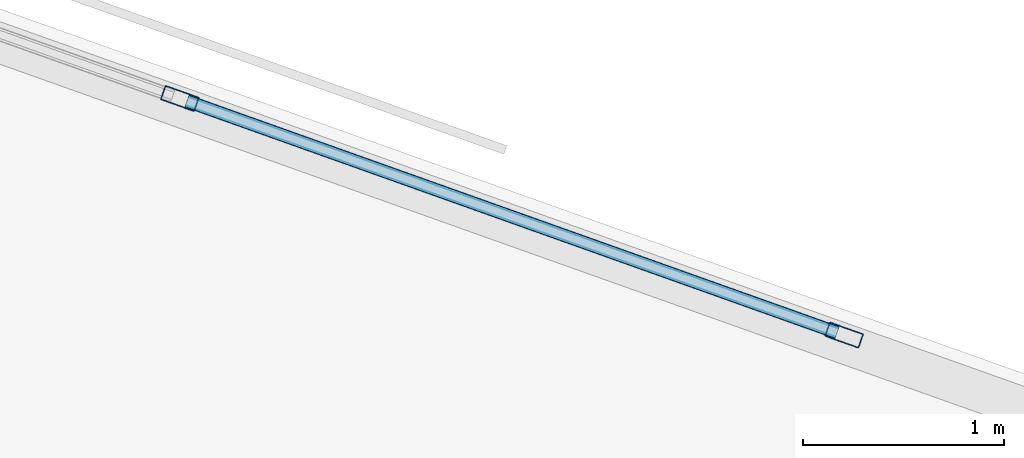
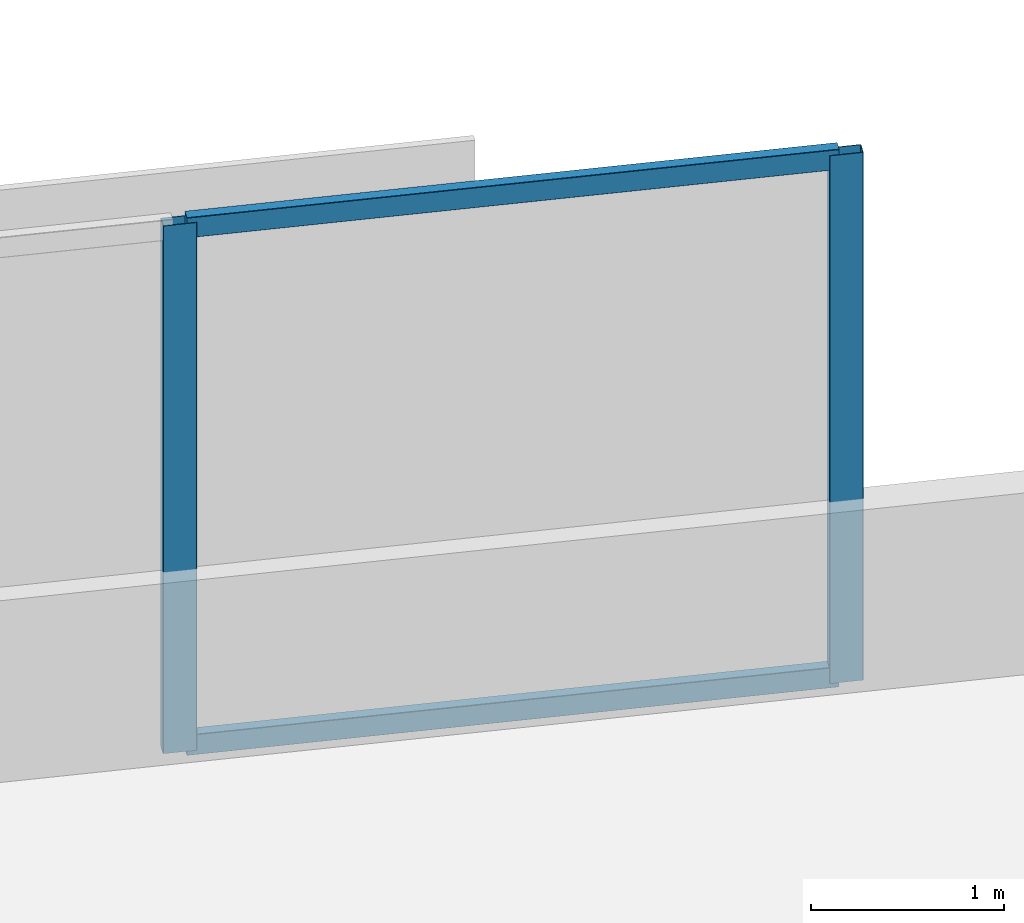
# One storey, part 2 of 16: 4 members, 1 element without a shape of its own.
"""IFC4 building model written with IfcOpenShell, lengths in metres."""

from ifc_helpers import new_model, si_unit, direction, frame, origin, origin_2d, place, context, subcontext, project, spatial, hollow_rectangle, extrude, material, material_profile, profile_set, type_object, element, aggregate, save


model = new_model("IFC4")

# Units and contexts
model_context = context("Model", 3, precision=1e-05, world=origin(), true_north=direction((0.0, 1.0)))
body_context = subcontext(model_context, "Body", "Model", "MODEL_VIEW")
ifc_project = project(units=[si_unit("LENGTHUNIT", "METRE"), si_unit("AREAUNIT", "SQUARE_METRE"), si_unit("VOLUMEUNIT", "CUBIC_METRE"), si_unit("PLANEANGLEUNIT", "RADIAN"), si_unit("MASSUNIT", "GRAM", prefix="KILO")], contexts=[model_context])

# Site, building, storey
site_placement = place(None, origin())
site = spatial("IfcSite", under=ifc_project, at=site_placement, CompositionType="ELEMENT")
building_placement = place(site_placement, origin())
building = spatial("IfcBuilding", under=site, at=building_placement, Name="Narakoshi Arena Tower", CompositionType="ELEMENT")
storey_placement = place(building_placement, frame((0.0, 0.0, 146.699951171875)))
storey = spatial("IfcBuildingStorey", under=building, at=storey_placement, Name="L39", CompositionType="ELEMENT", Elevation=146.699951171875)

# Curtain wall, members
ifc_material = material(Name="Anodised bronze aluminium 6063-T6", Category="aluminium")
curtain_wall_type = type_object("IfcCurtainWallType", Name="CW-HYP-MID", PredefinedType="NOTDEFINED", material=ifc_material)
curtain_wall_placement = place(storey_placement, origin())
curtain_wall = element("IfcCurtainWall", 1, at=curtain_wall_placement, inside=storey, type_object=curtain_wall_type, Name="L39 Folded Hypotenuse Curtain Wall 2-1", PredefinedType="NOTDEFINED")
ifc_material_profile_1 = material_profile(ifc_material, hollow_rectangle(XDim=0.074951171875, YDim=0.179931640625, WallThickness=0.00390625, OuterFilletRadius=0.0048828125, at=origin_2d()), Name="MUL180x75x4")
ifc_profile_set_1 = profile_set([ifc_material_profile_1], Name="Anodised bronze aluminium 6063-T6")
member_type_1 = type_object("IfcMemberType", Name="MEM-MUL-180", PredefinedType="MULLION", material=ifc_profile_set_1)
member_1_placement = place(storey_placement, frame((87.77978515625, 62.73876953125, 0.0), z_axis=(0.0, 0.0, 1.0), x_axis=(-0.335518297139, -0.94203368957, 0.0)))
member_1 = element("IfcMember", 2, at=member_1_placement, type_object=member_type_1, Name="CW-02 mullion 1", PredefinedType="MULLION", context=body_context, shape_type="SweptSolid", body=[
    extrude(hollow_rectangle(XDim=0.074951171875, YDim=0.179931640625, WallThickness=0.00390625, OuterFilletRadius=0.0048828125, at=origin_2d()), origin(), (0.0, 0.0, 1.0), 3.340087890625),
])
member_2_placement = place(storey_placement, frame((84.470458984375, 63.917236328125, 0.0), z_axis=(0.0, 0.0, 1.0), x_axis=(-0.335518297139, -0.94203368957, 0.0)))
member_2 = element("IfcMember", 3, at=member_2_placement, type_object=member_type_1, Name="CW-02 mullion 2", PredefinedType="MULLION", context=body_context, shape_type="SweptSolid", body=[
    extrude(hollow_rectangle(XDim=0.074951171875, YDim=0.179931640625, WallThickness=0.00390625, OuterFilletRadius=0.0048828125, at=origin_2d()), origin(), (0.0, 0.0, 1.0), 3.340087890625),
])
ifc_material_profile_2 = material_profile(ifc_material, hollow_rectangle(XDim=0.06494140625, YDim=0.1298828125, WallThickness=0.00390625, OuterFilletRadius=0.0048828125, at=origin_2d()), Name="TRN130x65x4")
ifc_profile_set_2 = profile_set([ifc_material_profile_2], Name="Anodised bronze aluminium 6063-T6")
member_type_2 = type_object("IfcMemberType", Name="MEM-TRN-130", PredefinedType="USERDEFINED", material=ifc_profile_set_2)
member_3_placement = place(storey_placement, frame((87.744384765625, 62.751220703125, 0.032470703125), z_axis=(-0.942022753127, 0.335549001773, 0.0), x_axis=(-0.335549001773, -0.942022753127, 0.0)))
member_3 = element("IfcMember", 4, at=member_3_placement, type_object=member_type_2, Name="CW-02 transom 1.1", ObjectType="TRANSOM", PredefinedType="USERDEFINED", context=body_context, shape_type="SweptSolid", body=[
    extrude(hollow_rectangle(XDim=0.06494140625, YDim=0.1298828125, WallThickness=0.00390625, OuterFilletRadius=0.0048828125, at=origin_2d()), origin(), (0.0, 0.0, 1.0), 3.437744140625),
])
member_4_placement = place(storey_placement, frame((87.744384765625, 62.751220703125, 3.3076171875), z_axis=(-0.942022753127, 0.335549001773, 0.0), x_axis=(-0.335549001773, -0.942022753127, 0.0)))
member_4 = element("IfcMember", 5, at=member_4_placement, type_object=member_type_2, Name="CW-02 transom 1.2", ObjectType="TRANSOM", PredefinedType="USERDEFINED", context=body_context, shape_type="SweptSolid", body=[
    extrude(hollow_rectangle(XDim=0.06494140625, YDim=0.1298828125, WallThickness=0.00390625, OuterFilletRadius=0.0048828125, at=origin_2d()), origin(), (0.0, 0.0, 1.0), 3.437744140625),
])
aggregate(curtain_wall, [member_1, member_2, member_3, member_4])

save(model, "model.ifc")
